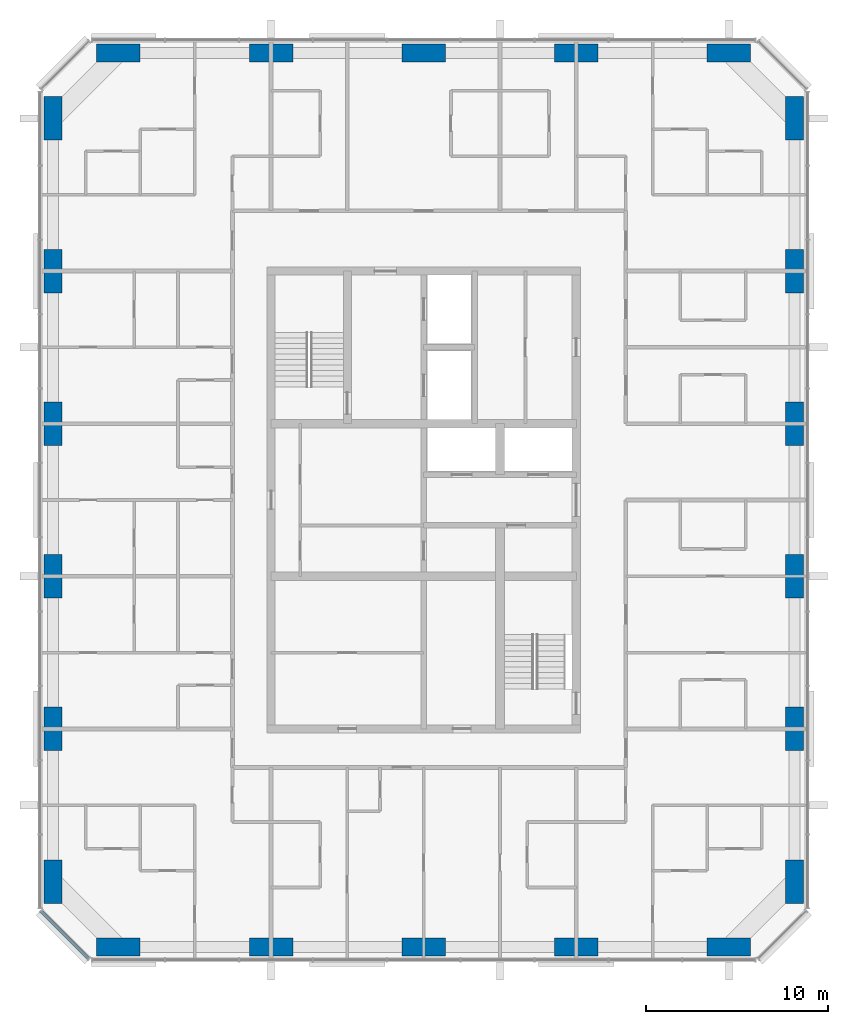
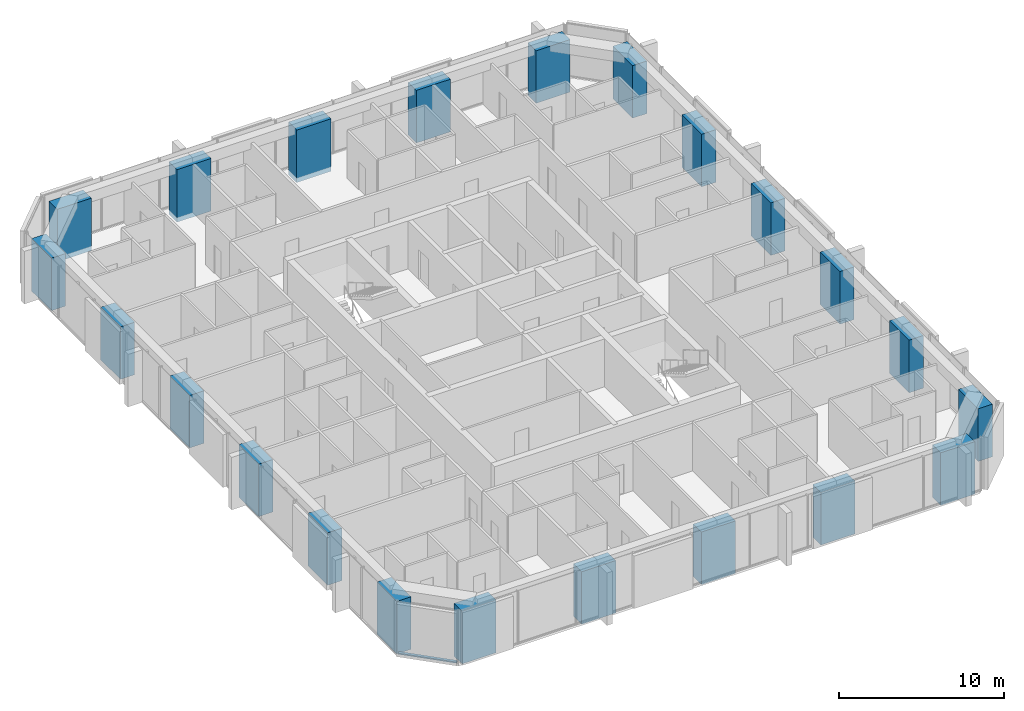
# One storey, part 1 of 12: 22 columns, 1 member, 1 element without a shape of its own.
"""IFC4 building model written with IfcOpenShell, lengths in metres."""

from ifc_helpers import new_model, si_unit, direction, frame, origin, origin_2d, place, context, subcontext, project, spatial, rectangle, extrude, material, material_profile, profile_set, type_object, element, aggregate, save


model = new_model("IFC4")

# Units and contexts
model_context = context("Model", 3, precision=1e-05, world=origin(), true_north=direction((0.0, 1.0)))
body_context = subcontext(model_context, "Body", "Model", "MODEL_VIEW")
ifc_project = project(units=[si_unit("LENGTHUNIT", "METRE"), si_unit("AREAUNIT", "SQUARE_METRE"), si_unit("VOLUMEUNIT", "CUBIC_METRE"), si_unit("PLANEANGLEUNIT", "RADIAN"), si_unit("MASSUNIT", "GRAM", prefix="KILO")], contexts=[model_context])

# Site, building, storey
site_placement = place(None, origin())
site = spatial("IfcSite", under=ifc_project, at=site_placement, CompositionType="ELEMENT")
building_placement = place(site_placement, origin())
building = spatial("IfcBuilding", under=site, at=building_placement, Name="Dunama Terrace Hotel", CompositionType="ELEMENT")
storey_placement = place(building_placement, frame((0.0, 0.0, 252.89990234375)))
storey = spatial("IfcBuildingStorey", under=building, at=storey_placement, Name="L65", CompositionType="ELEMENT", Elevation=252.89990234375)

# Columns
ifc_material_1 = material(Name="Concrete C50/60", Category="concrete")
ifc_material_profile_1 = material_profile(ifc_material_1, rectangle(XDim=1.0, YDim=2.39990234375, at=origin_2d()), Name="RC 1000x2400")
ifc_profile_set_1 = profile_set([ifc_material_profile_1], Name="Concrete C50/60")
column_type_1 = type_object("IfcColumnType", Name="Column RC 1000x2400", PredefinedType="COLUMN", material=ifc_profile_set_1)
for number, where, z_axis, x_axis, name in (
    (1, (13.199951171875, 8.39990234375, -0.349853515625), (0.0, 0.0, 1.0), (1.0, 0.0, 0.0), "Column L65 +13.2/+8.4"),
    (2, (13.199951171875, 16.800048828125, -0.349853515625), (0.0, 0.0, 1.0), (1.0, 0.0, 0.0), "Column L65 +13.2/+16.8"),
    (3, (13.199951171875, 25.199951171875, -0.349853515625), (0.0, 0.0, 1.0), (1.0, 0.0, 0.0), "Column L65 +13.2/+25.2"),
    (4, (13.199951171875, 33.60009765625, -0.349853515625), (0.0, 0.0, 1.0), (1.0, 0.0, 0.0), "Column L65 +13.2/+33.6"),
    (5, (13.199951171875, 42.0, -0.349853515625), (0.0, 0.0, 1.0), (1.0, 0.0, 0.0), "Column L65 +13.2/+42.0"),
    (6, (13.199951171875, 50.39990234375, -0.349853515625), (0.0, 0.0, 1.0), (1.0, 0.0, 0.0), "Column L65 +13.2/+50.4"),
    (7, (54.0, 8.39990234375, -0.349853515625), (0.0, 0.0, 1.0), (1.0, 0.0, 0.0), "Column L65 +54.0/+8.4"),
    (8, (54.0, 16.800048828125, -0.349853515625), (0.0, 0.0, 1.0), (1.0, 0.0, 0.0), "Column L65 +54.0/+16.8"),
    (9, (54.0, 25.199951171875, -0.349853515625), (0.0, 0.0, 1.0), (1.0, 0.0, 0.0), "Column L65 +54.0/+25.2"),
    (10, (54.0, 33.60009765625, -0.349853515625), (0.0, 0.0, 1.0), (1.0, 0.0, 0.0), "Column L65 +54.0/+33.6"),
    (11, (54.0, 42.0, -0.349853515625), (0.0, 0.0, 1.0), (1.0, 0.0, 0.0), "Column L65 +54.0/+42.0"),
    (12, (54.0, 50.39990234375, -0.349853515625), (0.0, 0.0, 1.0), (1.0, 0.0, 0.0), "Column L65 +54.0/+50.4"),
):
    element("IfcColumn", number, at=place(storey_placement, frame(where, z_axis=z_axis, x_axis=x_axis)), inside=storey, type_object=column_type_1, Name=name, PredefinedType="COLUMN", context=body_context, shape_type="SweptSolid", body=[
        extrude(rectangle(XDim=1.0, YDim=2.39990234375, at=origin_2d()), origin(), (0.0, 0.0, 1.0), 3.89990234375),
    ])
ifc_material_2 = material(Name="Concrete C50/60", Category="concrete")
ifc_material_profile_2 = material_profile(ifc_material_2, rectangle(XDim=2.39990234375, YDim=1.0, at=origin_2d()), Name="RC 2400x1000")
ifc_profile_set_2 = profile_set([ifc_material_profile_2], Name="Concrete C50/60")
column_type_2 = type_object("IfcColumnType", Name="Column RC 2400x1000", PredefinedType="COLUMN", material=ifc_profile_set_2)
for number, where, z_axis, x_axis, name in (
    (13, (16.800048828125, 4.800048828125, -0.349853515625), (0.0, 0.0, 1.0), (1.0, 0.0, 0.0), "Column L65 +16.8/+4.8"),
    (14, (16.800048828125, 54.0, -0.349853515625), (0.0, 0.0, 1.0), (1.0, 0.0, 0.0), "Column L65 +16.8/+54.0"),
    (15, (25.199951171875, 4.800048828125, -0.349853515625), (0.0, 0.0, 1.0), (1.0, 0.0, 0.0), "Column L65 +25.2/+4.8"),
    (16, (25.199951171875, 54.0, -0.349853515625), (0.0, 0.0, 1.0), (1.0, 0.0, 0.0), "Column L65 +25.2/+54.0"),
    (17, (33.60009765625, 4.800048828125, -0.349853515625), (0.0, 0.0, 1.0), (1.0, 0.0, 0.0), "Column L65 +33.6/+4.8"),
    (18, (33.60009765625, 54.0, -0.349853515625), (0.0, 0.0, 1.0), (1.0, 0.0, 0.0), "Column L65 +33.6/+54.0"),
    (19, (42.0, 4.800048828125, -0.349853515625), (0.0, 0.0, 1.0), (1.0, 0.0, 0.0), "Column L65 +42.0/+4.8"),
    (20, (42.0, 54.0, -0.349853515625), (0.0, 0.0, 1.0), (1.0, 0.0, 0.0), "Column L65 +42.0/+54.0"),
    (21, (50.39990234375, 4.800048828125, -0.349853515625), (0.0, 0.0, 1.0), (1.0, 0.0, 0.0), "Column L65 +50.4/+4.8"),
    (22, (50.39990234375, 54.0, -0.349853515625), (0.0, 0.0, 1.0), (1.0, 0.0, 0.0), "Column L65 +50.4/+54.0"),
):
    element("IfcColumn", number, at=place(storey_placement, frame(where, z_axis=z_axis, x_axis=x_axis)), inside=storey, type_object=column_type_2, Name=name, PredefinedType="COLUMN", context=body_context, shape_type="SweptSolid", body=[
        extrude(rectangle(XDim=2.39990234375, YDim=1.0, at=origin_2d()), origin(), (0.0, 0.0, 1.0), 3.89990234375),
    ])

# Curtain wall, member
ifc_material_3 = material(Name="Aluminium curtain wall system", Category="aluminium")
curtain_wall_type = type_object("IfcCurtainWallType", Name="Unitised fritted glass wall CW-D", PredefinedType="NOTDEFINED", material=ifc_material_3)
curtain_wall_placement = place(storey_placement, origin())
curtain_wall = element("IfcCurtainWall", 23, at=curtain_wall_placement, inside=storey, type_object=curtain_wall_type, Name="Unitised fritted glass wall CW-D L65", PredefinedType="NOTDEFINED")
ifc_material_4 = material(Name="Aluminium transom", Category="aluminium")
ifc_material_profile_3 = material_profile(ifc_material_4, rectangle(XDim=0.199951171875, YDim=0.0849609375, at=origin_2d()), Name="CWD TRANSOM 200X85")
ifc_profile_set_3 = profile_set([ifc_material_profile_3], Name="Aluminium transom")
member_type = type_object("IfcMemberType", Name="CWD transom 200x85", PredefinedType="USERDEFINED", material=ifc_profile_set_3)
member_placement = place(storey_placement, frame((12.56494140625, 6.76611328125, 0.04248046875), z_axis=(0.707106781187, -0.707106781187, 0.0), x_axis=(0.707106781187, 0.707106781187, 0.0)))
member = element("IfcMember", 24, at=member_placement, type_object=member_type, Name="CWD transom", ObjectType="TRANSOM", PredefinedType="USERDEFINED", context=body_context, shape_type="SweptSolid", body=[
    extrude(rectangle(XDim=0.199951171875, YDim=0.0849609375, at=origin_2d()), origin(), (0.0, 0.0, 1.0), 3.678466796875),
])
aggregate(curtain_wall, [member])

save(model, "model.ifc")
